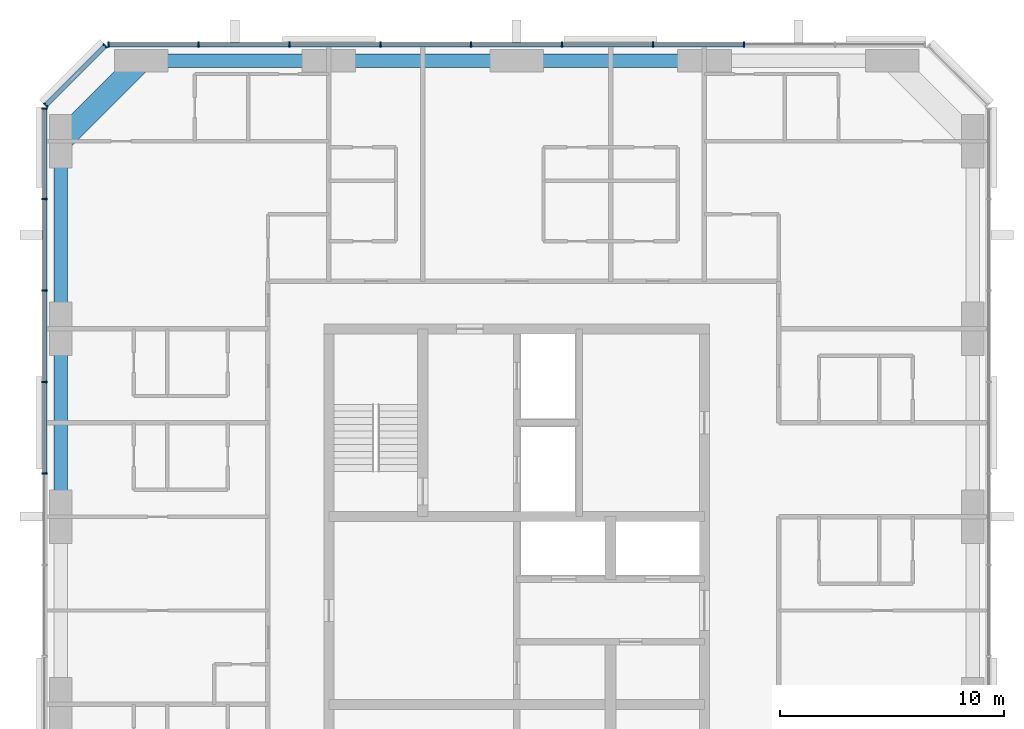
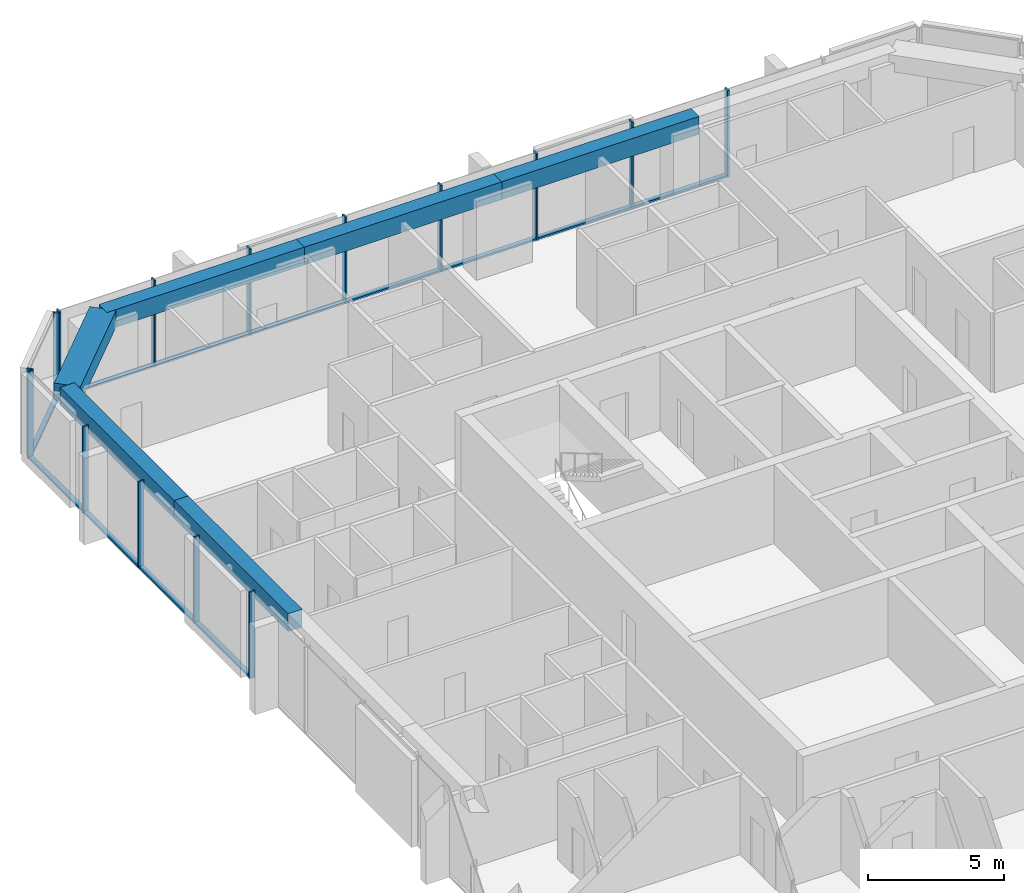
# One storey, part 4 of 12: 27 members, 6 beams, 3 elements without a shape of their own.
"""IFC4 building model written with IfcOpenShell, lengths in metres."""

from ifc_helpers import new_model, si_unit, direction, frame, origin, origin_2d, place, context, subcontext, project, spatial, rectangle, extrude, material, material_profile, profile_set, type_object, element, aggregate, save


model = new_model("IFC4")

# Units and contexts
model_context = context("Model", 3, precision=1e-05, world=origin(), true_north=direction((0.0, 1.0)))
body_context = subcontext(model_context, "Body", "Model", "MODEL_VIEW")
ifc_project = project(units=[si_unit("LENGTHUNIT", "METRE"), si_unit("AREAUNIT", "SQUARE_METRE"), si_unit("VOLUMEUNIT", "CUBIC_METRE"), si_unit("PLANEANGLEUNIT", "RADIAN"), si_unit("MASSUNIT", "GRAM", prefix="KILO")], contexts=[model_context])

# Site, building, storey
site_placement = place(None, origin())
site = spatial("IfcSite", under=ifc_project, at=site_placement, CompositionType="ELEMENT")
building_placement = place(site_placement, origin())
building = spatial("IfcBuilding", under=site, at=building_placement, Name="Dunama Terrace Hotel", CompositionType="ELEMENT")
storey_placement = place(building_placement, frame((0.0, 0.0, 264.60009765625)))
storey = spatial("IfcBuildingStorey", under=building, at=storey_placement, Name="L68", CompositionType="ELEMENT", Elevation=264.60009765625)

# Curtain wall, members
ifc_material_1 = material(Name="Aluminium curtain wall system", Category="aluminium")
curtain_wall_type = type_object("IfcCurtainWallType", Name="Unitised fritted glass wall CW-D", PredefinedType="NOTDEFINED", material=ifc_material_1)
curtain_wall_1_placement = place(storey_placement, origin())
curtain_wall_1 = element("IfcCurtainWall", 1, at=curtain_wall_1_placement, inside=storey, type_object=curtain_wall_type, Name="Unitised fritted glass wall CW-D L68", PredefinedType="NOTDEFINED")
ifc_material_2 = material(Name="Aluminium mullion", Category="aluminium")
ifc_material_profile_1 = material_profile(ifc_material_2, rectangle(XDim=0.070068359375, YDim=0.239990234375, at=origin_2d()), Name="CWD MULLION 70X240")
ifc_profile_set_1 = profile_set([ifc_material_profile_1], Name="Aluminium mullion")
member_type_1 = type_object("IfcMemberType", Name="CWD mullion 70x240", PredefinedType="MULLION", material=ifc_profile_set_1)
member_1_placement = place(storey_placement, frame((43.76708984375, 54.719970703125, 0.0), z_axis=(0.0, 0.0, 1.0), x_axis=(-1.0, 0.0, 0.0)))
member_1 = element("IfcMember", 2, at=member_1_placement, type_object=member_type_1, Name="CWD mullion", PredefinedType="MULLION", context=body_context, shape_type="SweptSolid", body=[
    extrude(rectangle(XDim=0.070068359375, YDim=0.239990234375, at=origin_2d()), origin(), (0.0, 0.0, 1.0), 3.89990234375),
])
member_2_placement = place(storey_placement, frame((39.699951171875, 54.719970703125, 0.0), z_axis=(0.0, 0.0, 1.0), x_axis=(-1.0, 0.0, 0.0)))
member_2 = element("IfcMember", 3, at=member_2_placement, type_object=member_type_1, Name="CWD mullion", PredefinedType="MULLION", context=body_context, shape_type="SweptSolid", body=[
    extrude(rectangle(XDim=0.070068359375, YDim=0.239990234375, at=origin_2d()), origin(), (0.0, 0.0, 1.0), 3.89990234375),
])
member_3_placement = place(storey_placement, frame((35.633056640625, 54.719970703125, 0.0), z_axis=(0.0, 0.0, 1.0), x_axis=(-1.0, 0.0, 0.0)))
member_3 = element("IfcMember", 4, at=member_3_placement, type_object=member_type_1, Name="CWD mullion", PredefinedType="MULLION", context=body_context, shape_type="SweptSolid", body=[
    extrude(rectangle(XDim=0.070068359375, YDim=0.239990234375, at=origin_2d()), origin(), (0.0, 0.0, 1.0), 3.89990234375),
])
member_4_placement = place(storey_placement, frame((31.56689453125, 54.719970703125, 0.0), z_axis=(0.0, 0.0, 1.0), x_axis=(-1.0, 0.0, 0.0)))
member_4 = element("IfcMember", 5, at=member_4_placement, type_object=member_type_1, Name="CWD mullion", PredefinedType="MULLION", context=body_context, shape_type="SweptSolid", body=[
    extrude(rectangle(XDim=0.070068359375, YDim=0.239990234375, at=origin_2d()), origin(), (0.0, 0.0, 1.0), 3.89990234375),
])
member_5_placement = place(storey_placement, frame((27.5, 54.719970703125, 0.0), z_axis=(0.0, 0.0, 1.0), x_axis=(-1.0, 0.0, 0.0)))
member_5 = element("IfcMember", 6, at=member_5_placement, type_object=member_type_1, Name="CWD mullion", PredefinedType="MULLION", context=body_context, shape_type="SweptSolid", body=[
    extrude(rectangle(XDim=0.070068359375, YDim=0.239990234375, at=origin_2d()), origin(), (0.0, 0.0, 1.0), 3.89990234375),
])
member_6_placement = place(storey_placement, frame((23.43310546875, 54.719970703125, 0.0), z_axis=(0.0, 0.0, 1.0), x_axis=(-1.0, 0.0, 0.0)))
member_6 = element("IfcMember", 7, at=member_6_placement, type_object=member_type_1, Name="CWD mullion", PredefinedType="MULLION", context=body_context, shape_type="SweptSolid", body=[
    extrude(rectangle(XDim=0.070068359375, YDim=0.239990234375, at=origin_2d()), origin(), (0.0, 0.0, 1.0), 3.89990234375),
])
member_7_placement = place(storey_placement, frame((19.366943359375, 54.719970703125, 0.0), z_axis=(0.0, 0.0, 1.0), x_axis=(-1.0, 0.0, 0.0)))
member_7 = element("IfcMember", 8, at=member_7_placement, type_object=member_type_1, Name="CWD mullion", PredefinedType="MULLION", context=body_context, shape_type="SweptSolid", body=[
    extrude(rectangle(XDim=0.070068359375, YDim=0.239990234375, at=origin_2d()), origin(), (0.0, 0.0, 1.0), 3.89990234375),
])
member_8_placement = place(storey_placement, frame((15.3349609375, 54.719970703125, 0.0), z_axis=(0.0, 0.0, 1.0), x_axis=(-1.0, 0.0, 0.0)))
member_8 = element("IfcMember", 9, at=member_8_placement, type_object=member_type_1, Name="CWD mullion", PredefinedType="MULLION", context=body_context, shape_type="SweptSolid", body=[
    extrude(rectangle(XDim=0.070068359375, YDim=0.239990234375, at=origin_2d()), origin(), (0.0, 0.0, 1.0), 3.89990234375),
])

curtain_wall_2_placement = place(storey_placement, origin())
curtain_wall_2 = element("IfcCurtainWall", 10, at=curtain_wall_2_placement, inside=storey, type_object=curtain_wall_type, Name="Unitised fritted glass wall CW-D L68", PredefinedType="NOTDEFINED")
member_9_placement = place(storey_placement, frame((15.18994140625, 54.659912109375, 0.0), z_axis=(0.0, 0.0, 1.0), x_axis=(-0.707106781187, -0.707106781187, 0.0)))
member_9 = element("IfcMember", 11, at=member_9_placement, type_object=member_type_1, Name="CWD mullion", PredefinedType="MULLION", context=body_context, shape_type="SweptSolid", body=[
    extrude(rectangle(XDim=0.070068359375, YDim=0.239990234375, at=origin_2d()), origin(), (0.0, 0.0, 1.0), 3.89990234375),
])
member_10_placement = place(storey_placement, frame((12.5400390625, 52.010009765625, 0.0), z_axis=(0.0, 0.0, 1.0), x_axis=(-0.707106781187, -0.707106781187, 0.0)))
member_10 = element("IfcMember", 12, at=member_10_placement, type_object=member_type_1, Name="CWD mullion", PredefinedType="MULLION", context=body_context, shape_type="SweptSolid", body=[
    extrude(rectangle(XDim=0.070068359375, YDim=0.239990234375, at=origin_2d()), origin(), (0.0, 0.0, 1.0), 3.89990234375),
])

curtain_wall_3_placement = place(storey_placement, origin())
curtain_wall_3 = element("IfcCurtainWall", 13, at=curtain_wall_3_placement, inside=storey, type_object=curtain_wall_type, Name="Unitised fritted glass wall CW-D L68", PredefinedType="NOTDEFINED")
member_11_placement = place(storey_placement, frame((12.47998046875, 51.864990234375, 0.0), z_axis=(0.0, 0.0, 1.0), x_axis=(0.0, -1.0, 0.0)))
member_11 = element("IfcMember", 14, at=member_11_placement, type_object=member_type_1, Name="CWD mullion", PredefinedType="MULLION", context=body_context, shape_type="SweptSolid", body=[
    extrude(rectangle(XDim=0.070068359375, YDim=0.239990234375, at=origin_2d()), origin(), (0.0, 0.0, 1.0), 3.89990234375),
])
member_12_placement = place(storey_placement, frame((12.47998046875, 47.80908203125, 0.0), z_axis=(0.0, 0.0, 1.0), x_axis=(0.0, -1.0, 0.0)))
member_12 = element("IfcMember", 15, at=member_12_placement, type_object=member_type_1, Name="CWD mullion", PredefinedType="MULLION", context=body_context, shape_type="SweptSolid", body=[
    extrude(rectangle(XDim=0.070068359375, YDim=0.239990234375, at=origin_2d()), origin(), (0.0, 0.0, 1.0), 3.89990234375),
])
member_13_placement = place(storey_placement, frame((12.47998046875, 43.718017578125, 0.0), z_axis=(0.0, 0.0, 1.0), x_axis=(0.0, -1.0, 0.0)))
member_13 = element("IfcMember", 16, at=member_13_placement, type_object=member_type_1, Name="CWD mullion", PredefinedType="MULLION", context=body_context, shape_type="SweptSolid", body=[
    extrude(rectangle(XDim=0.070068359375, YDim=0.239990234375, at=origin_2d()), origin(), (0.0, 0.0, 1.0), 3.89990234375),
])
member_14_placement = place(storey_placement, frame((12.47998046875, 39.626953125, 0.0), z_axis=(0.0, 0.0, 1.0), x_axis=(0.0, -1.0, 0.0)))
member_14 = element("IfcMember", 17, at=member_14_placement, type_object=member_type_1, Name="CWD mullion", PredefinedType="MULLION", context=body_context, shape_type="SweptSolid", body=[
    extrude(rectangle(XDim=0.070068359375, YDim=0.239990234375, at=origin_2d()), origin(), (0.0, 0.0, 1.0), 3.89990234375),
])
member_15_placement = place(storey_placement, frame((12.47998046875, 35.535888671875, 0.0), z_axis=(0.0, 0.0, 1.0), x_axis=(0.0, -1.0, 0.0)))
member_15 = element("IfcMember", 18, at=member_15_placement, type_object=member_type_1, Name="CWD mullion", PredefinedType="MULLION", context=body_context, shape_type="SweptSolid", body=[
    extrude(rectangle(XDim=0.070068359375, YDim=0.239990234375, at=origin_2d()), origin(), (0.0, 0.0, 1.0), 3.89990234375),
])

# Member
ifc_material_3 = material(Name="Aluminium transom", Category="aluminium")
ifc_material_profile_2 = material_profile(ifc_material_3, rectangle(XDim=0.199951171875, YDim=0.0849609375, at=origin_2d()), Name="CWD TRANSOM 200X85")
ifc_profile_set_2 = profile_set([ifc_material_profile_2], Name="Aluminium transom")
member_type_2 = type_object("IfcMemberType", Name="CWD transom 200x85", PredefinedType="USERDEFINED", material=ifc_profile_set_2)
member_16_placement = place(storey_placement, frame((43.73193359375, 54.719970703125, 0.04248046875), z_axis=(-1.0, 0.0, 0.0), x_axis=(0.0, -1.0, 0.0)))
member_16 = element("IfcMember", 19, at=member_16_placement, type_object=member_type_2, Name="CWD transom", ObjectType="TRANSOM", PredefinedType="USERDEFINED", context=body_context, shape_type="SweptSolid", body=[
    extrude(rectangle(XDim=0.199951171875, YDim=0.0849609375, at=origin_2d()), origin(), (0.0, 0.0, 1.0), 3.996826171875),
])

member_17_placement = place(storey_placement, frame((39.6650390625, 54.719970703125, 0.04248046875), z_axis=(-1.0, 0.0, 0.0), x_axis=(0.0, -1.0, 0.0)))
member_17 = element("IfcMember", 20, at=member_17_placement, type_object=member_type_2, Name="CWD transom", ObjectType="TRANSOM", PredefinedType="USERDEFINED", context=body_context, shape_type="SweptSolid", body=[
    extrude(rectangle(XDim=0.199951171875, YDim=0.0849609375, at=origin_2d()), origin(), (0.0, 0.0, 1.0), 3.9970703125),
])

member_18_placement = place(storey_placement, frame((35.597900390625, 54.719970703125, 0.04248046875), z_axis=(-1.0, 0.0, 0.0), x_axis=(0.0, -1.0, 0.0)))
member_18 = element("IfcMember", 21, at=member_18_placement, type_object=member_type_2, Name="CWD transom", ObjectType="TRANSOM", PredefinedType="USERDEFINED", context=body_context, shape_type="SweptSolid", body=[
    extrude(rectangle(XDim=0.199951171875, YDim=0.0849609375, at=origin_2d()), origin(), (0.0, 0.0, 1.0), 3.995849609375),
])

member_19_placement = place(storey_placement, frame((31.531982421875, 54.719970703125, 0.04248046875), z_axis=(-1.0, 0.0, 0.0), x_axis=(0.0, -1.0, 0.0)))
member_19 = element("IfcMember", 22, at=member_19_placement, type_object=member_type_2, Name="CWD transom", ObjectType="TRANSOM", PredefinedType="USERDEFINED", context=body_context, shape_type="SweptSolid", body=[
    extrude(rectangle(XDim=0.199951171875, YDim=0.0849609375, at=origin_2d()), origin(), (0.0, 0.0, 1.0), 3.9970703125),
])

member_20_placement = place(storey_placement, frame((27.465087890625, 54.719970703125, 0.04248046875), z_axis=(-1.0, 0.0, 0.0), x_axis=(0.0, -1.0, 0.0)))
member_20 = element("IfcMember", 23, at=member_20_placement, type_object=member_type_2, Name="CWD transom", ObjectType="TRANSOM", PredefinedType="USERDEFINED", context=body_context, shape_type="SweptSolid", body=[
    extrude(rectangle(XDim=0.199951171875, YDim=0.0849609375, at=origin_2d()), origin(), (0.0, 0.0, 1.0), 3.9970703125),
])

member_21_placement = place(storey_placement, frame((23.39794921875, 54.719970703125, 0.04248046875), z_axis=(-1.0, 0.0, 0.0), x_axis=(0.0, -1.0, 0.0)))
member_21 = element("IfcMember", 24, at=member_21_placement, type_object=member_type_2, Name="CWD transom", ObjectType="TRANSOM", PredefinedType="USERDEFINED", context=body_context, shape_type="SweptSolid", body=[
    extrude(rectangle(XDim=0.199951171875, YDim=0.0849609375, at=origin_2d()), origin(), (0.0, 0.0, 1.0), 3.995849609375),
])

member_22_placement = place(storey_placement, frame((19.33203125, 54.719970703125, 0.04248046875), z_axis=(-1.0, 0.0, 0.0), x_axis=(0.0, -1.0, 0.0)))
member_22 = element("IfcMember", 25, at=member_22_placement, type_object=member_type_2, Name="CWD transom", ObjectType="TRANSOM", PredefinedType="USERDEFINED", context=body_context, shape_type="SweptSolid", body=[
    extrude(rectangle(XDim=0.199951171875, YDim=0.0849609375, at=origin_2d()), origin(), (0.0, 0.0, 1.0), 3.9619140625),
])

aggregate(curtain_wall_1, [member_1, member_2, member_3, member_4, member_5, member_6, member_7, member_8, member_16, member_17, member_18, member_19, member_20, member_21, member_22])

member_23_placement = place(storey_placement, frame((15.166015625, 54.635009765625, 0.04248046875), z_axis=(-0.707106781187, -0.707106781187, 0.0), x_axis=(0.707106781187, -0.707106781187, 0.0)))
member_23 = element("IfcMember", 26, at=member_23_placement, type_object=member_type_2, Name="CWD transom", ObjectType="TRANSOM", PredefinedType="USERDEFINED", context=body_context, shape_type="SweptSolid", body=[
    extrude(rectangle(XDim=0.199951171875, YDim=0.0849609375, at=origin_2d()), origin(), (0.0, 0.0, 1.0), 3.678466796875),
])

aggregate(curtain_wall_2, [member_9, member_10, member_23])

member_24_placement = place(storey_placement, frame((12.47998046875, 51.830078125, 0.04248046875), z_axis=(0.0, -1.0, 0.0), x_axis=(1.0, 0.0, 0.0)))
member_24 = element("IfcMember", 27, at=member_24_placement, type_object=member_type_2, Name="CWD transom", ObjectType="TRANSOM", PredefinedType="USERDEFINED", context=body_context, shape_type="SweptSolid", body=[
    extrude(rectangle(XDim=0.199951171875, YDim=0.0849609375, at=origin_2d()), origin(), (0.0, 0.0, 1.0), 3.986083984375),
])

member_25_placement = place(storey_placement, frame((12.47998046875, 47.77392578125, 0.04248046875), z_axis=(0.0, -1.0, 0.0), x_axis=(1.0, 0.0, 0.0)))
member_25 = element("IfcMember", 28, at=member_25_placement, type_object=member_type_2, Name="CWD transom", ObjectType="TRANSOM", PredefinedType="USERDEFINED", context=body_context, shape_type="SweptSolid", body=[
    extrude(rectangle(XDim=0.199951171875, YDim=0.0849609375, at=origin_2d()), origin(), (0.0, 0.0, 1.0), 4.02099609375),
])

member_26_placement = place(storey_placement, frame((12.47998046875, 43.68310546875, 0.04248046875), z_axis=(0.0, -1.0, 0.0), x_axis=(1.0, 0.0, 0.0)))
member_26 = element("IfcMember", 29, at=member_26_placement, type_object=member_type_2, Name="CWD transom", ObjectType="TRANSOM", PredefinedType="USERDEFINED", context=body_context, shape_type="SweptSolid", body=[
    extrude(rectangle(XDim=0.199951171875, YDim=0.0849609375, at=origin_2d()), origin(), (0.0, 0.0, 1.0), 4.02099609375),
])

member_27_placement = place(storey_placement, frame((12.47998046875, 39.592041015625, 0.04248046875), z_axis=(0.0, -1.0, 0.0), x_axis=(1.0, 0.0, 0.0)))
member_27 = element("IfcMember", 30, at=member_27_placement, type_object=member_type_2, Name="CWD transom", ObjectType="TRANSOM", PredefinedType="USERDEFINED", context=body_context, shape_type="SweptSolid", body=[
    extrude(rectangle(XDim=0.199951171875, YDim=0.0849609375, at=origin_2d()), origin(), (0.0, 0.0, 1.0), 4.02099609375),
])

aggregate(curtain_wall_3, [member_11, member_12, member_13, member_14, member_15, member_24, member_25, member_26, member_27])

# Beams
ifc_material_4 = material(Name="Concrete C50/60", Category="concrete")
ifc_material_profile_3 = material_profile(ifc_material_4, rectangle(XDim=1.0, YDim=0.75, at=origin_2d()), Name="RC 1000x750")
ifc_profile_set_3 = profile_set([ifc_material_profile_3], Name="Concrete C50/60")
beam_type_1 = type_object("IfcBeamType", Name="Edge beam RC 1000x750", PredefinedType="SPANDREL", material=ifc_profile_set_3)
beam_1_placement = place(storey_placement, frame((16.800048828125, 54.0, 3.52490234375), z_axis=(-0.707106781187, -0.707106781187, 0.0), x_axis=(0.707106781187, -0.707106781187, 0.0)))
element("IfcBeam", 31, at=beam_1_placement, inside=storey, type_object=beam_type_1, Name="Corner edge beam under L69", PredefinedType="SPANDREL", context=body_context, shape_type="SweptSolid", body=[
    extrude(rectangle(XDim=1.0, YDim=0.75, at=origin_2d()), origin(), (0.0, 0.0, 1.0), 5.09130859375),
])
ifc_material_5 = material(Name="Concrete C40/50", Category="concrete")
ifc_material_profile_4 = material_profile(ifc_material_5, rectangle(XDim=0.60009765625, YDim=0.800048828125, at=origin_2d()), Name="RC 600x800")
ifc_profile_set_4 = profile_set([ifc_material_profile_4], Name="Concrete C40/50")
beam_type_2 = type_object("IfcBeamType", Name="Edge beam RC 600x800", PredefinedType="SPANDREL", material=ifc_profile_set_4)
for number, where, z_axis, x_axis, name in (
    (32, (13.199951171875, 33.60009765625, 3.5), (0.0, 1.0, 0.0), (-1.0, 0.0, 0.0), "Edge beam under L69"),
    (33, (13.199951171875, 42.0, 3.5), (0.0, 1.0, 0.0), (-1.0, 0.0, 0.0), "Edge beam under L69"),
    (34, (16.800048828125, 54.0, 3.5), (1.0, 0.0, 0.0), (0.0, 1.0, 0.0), "Edge beam under L69"),
):
    element("IfcBeam", number, at=place(storey_placement, frame(where, z_axis=z_axis, x_axis=x_axis)), inside=storey, type_object=beam_type_2, Name=name, PredefinedType="SPANDREL", context=body_context, shape_type="SweptSolid", body=[
        extrude(rectangle(XDim=0.60009765625, YDim=0.800048828125, at=origin_2d()), origin(), (0.0, 0.0, 1.0), 8.39990234375),
    ])
beam_2_placement = place(storey_placement, frame((25.199951171875, 54.0, 3.5), z_axis=(1.0, 0.0, 0.0), x_axis=(0.0, 1.0, 0.0)))
element("IfcBeam", 35, at=beam_2_placement, inside=storey, type_object=beam_type_2, Name="Edge beam under L69", PredefinedType="SPANDREL", context=body_context, shape_type="SweptSolid", body=[
    extrude(rectangle(XDim=0.60009765625, YDim=0.800048828125, at=origin_2d()), origin(), (0.0, 0.0, 1.0), 8.400146484375),
])
beam_3_placement = place(storey_placement, frame((33.60009765625, 54.0, 3.5), z_axis=(1.0, 0.0, 0.0), x_axis=(0.0, 1.0, 0.0)))
element("IfcBeam", 36, at=beam_3_placement, inside=storey, type_object=beam_type_2, Name="Edge beam under L69", PredefinedType="SPANDREL", context=body_context, shape_type="SweptSolid", body=[
    extrude(rectangle(XDim=0.60009765625, YDim=0.800048828125, at=origin_2d()), origin(), (0.0, 0.0, 1.0), 8.39990234375),
])

save(model, "model.ifc")
